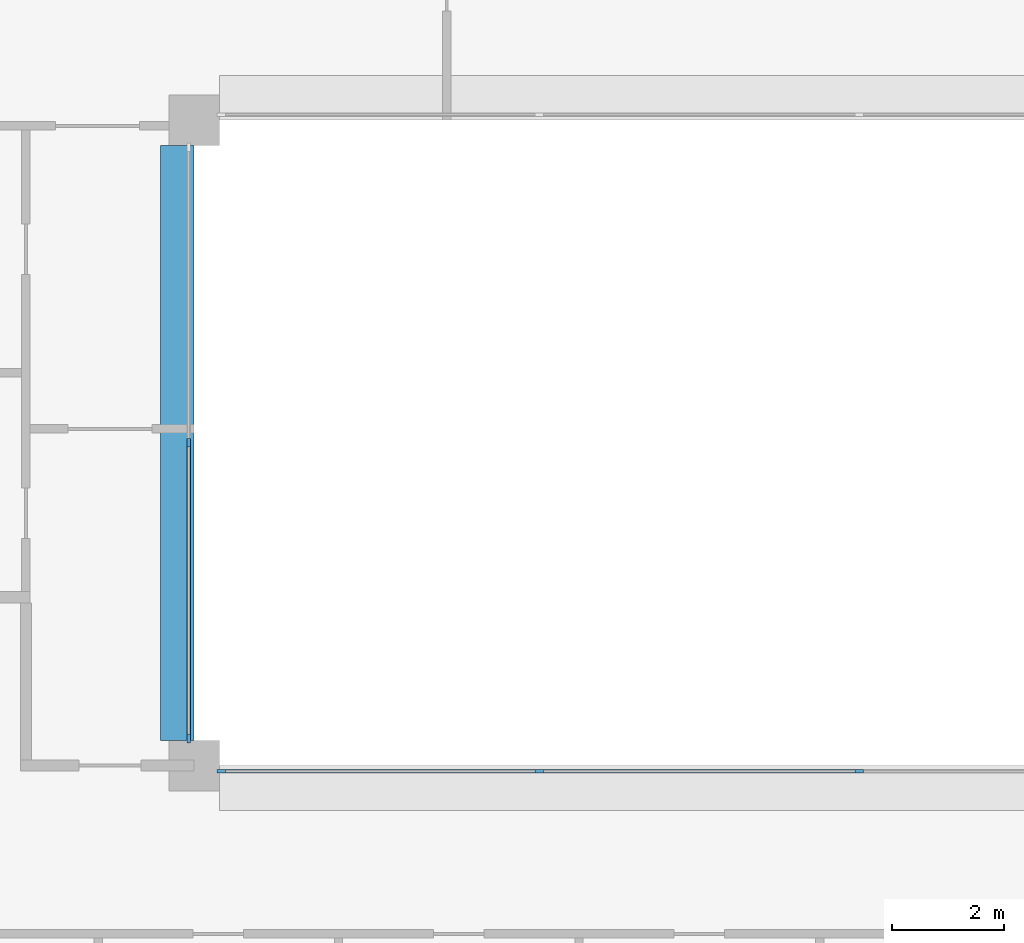
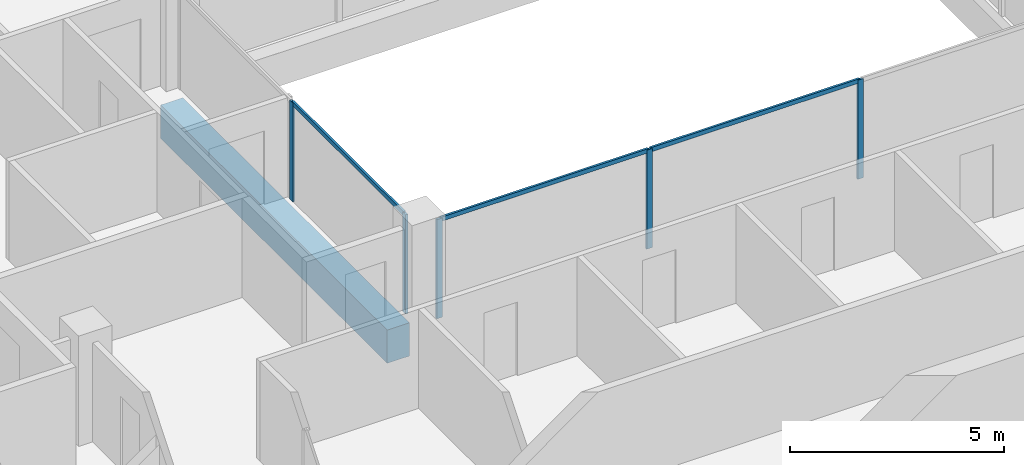
# One storey, part 2 of 15: 8 members, 1 beam, 2 elements without a shape of their own.
"""IFC4 building model written with IfcOpenShell, lengths in metres."""

import ifcopenshell
import ifcopenshell.guid

model = None  # the IFC model being written
_history = None  # IfcOwnerHistory: only IFC2X3 demands one
_inside = {}  # id of a spatial element -> (the spatial element, [elements in it])
_under = {}  # id of a project, library or spatial element -> (it, [spatial elements below it])
_declared = {}  # id of a project -> (the project, [libraries it declares])
_typed = {}  # id of a type object -> (the type object, [elements of that type])
_made_of = {}  # id of a material, layer set ... -> (it, [elements and type objects made of it])


def new_model(schema):
    """Start an empty IFC model of exactly this schema.

    Asked for "IFC4X3", IfcOpenShell would pick the latest addendum, in which some entities
    have other attributes; the version numbers below select the first issue.
    IFC2X3 requires an IfcOwnerHistory on every rooted entity: one is made here for all.
    """
    global model, _history
    if schema == "IFC4X3":
        model = ifcopenshell.file(schema_version=(4, 3, 0, 0))
    else:
        model = ifcopenshell.file(schema=schema)
    _inside.clear()
    _under.clear()
    _declared.clear()
    _typed.clear()
    _made_of.clear()
    _history = None
    if model.schema == "IFC2X3":
        org = make("IfcOrganization", Name="unknown")
        user = make(
            "IfcPersonAndOrganization",
            ThePerson=make("IfcPerson", FamilyName="unknown"),
            TheOrganization=org,
        )
        app = make(
            "IfcApplication",
            ApplicationDeveloper=org,
            Version="unknown",
            ApplicationFullName="unknown",
            ApplicationIdentifier="unknown",
        )
        _history = make(
            "IfcOwnerHistory",
            OwningUser=user,
            OwningApplication=app,
            ChangeAction="ADDED",
            CreationDate=0,
        )
    return model


def make(cls, **values):
    """One entity of the class cls with the attributes given. An attribute that is None is left unset."""
    return model.create_entity(
        cls, **{name: value for name, value in values.items() if value is not None}
    )


def rooted(cls, **values):
    """An entity with a GlobalId (a new one), such as an element, a storey or a relation."""
    return make(cls, GlobalId=ifcopenshell.guid.new(), OwnerHistory=_history, **values)


def si_unit(unit_type, name, prefix=None):
    """IfcSIUnit, for example si_unit("LENGTHUNIT", "METRE", prefix="MILLI")."""
    return make("IfcSIUnit", UnitType=unit_type, Prefix=prefix, Name=name)


def assignment(units):
    """IfcUnitAssignment: the units of a project."""
    return None if units is None else make("IfcUnitAssignment", Units=units)


def point(xyz):
    """IfcCartesianPoint."""
    return None if xyz is None else make("IfcCartesianPoint", Coordinates=xyz)


def direction(xyz):
    """IfcDirection."""
    return None if xyz is None else make("IfcDirection", DirectionRatios=xyz)


def frame(location, z_axis=None, x_axis=None):
    """IfcAxis2Placement3D, a coordinate frame: its origin and axes. An axis left out is left unset."""
    return make(
        "IfcAxis2Placement3D",
        Location=point(location),
        Axis=direction(z_axis),
        RefDirection=direction(x_axis),
    )


def frame_2d(location, x_axis=None):
    """IfcAxis2Placement2D, a coordinate frame in the plane: its origin and x axis."""
    return make(
        "IfcAxis2Placement2D", Location=point(location), RefDirection=direction(x_axis)
    )


def origin():
    """The frame at (0, 0, 0) with its axes left unset."""
    return frame((0.0, 0.0, 0.0))


def origin_2d():
    """The frame at (0, 0) in the plane with its x axis left unset."""
    return frame_2d((0.0, 0.0))


def place(relative_to, where):
    """IfcLocalPlacement: puts the frame where relative to a parent placement (None: the world)."""
    return make(
        "IfcLocalPlacement", PlacementRelTo=relative_to, RelativePlacement=where
    )


def context(
    kind, dimensions, precision=None, world=None, true_north=None, identifier=None
):
    """IfcGeometricRepresentationContext, for example the 3D "Model" context."""
    return make(
        "IfcGeometricRepresentationContext",
        ContextIdentifier=identifier,
        ContextType=kind,
        CoordinateSpaceDimension=dimensions,
        Precision=precision,
        WorldCoordinateSystem=world,
        TrueNorth=true_north,
    )


def subcontext(parent, identifier, kind, view, scale=None):
    """IfcGeometricRepresentationSubContext, for example "Body" below "Model"."""
    return make(
        "IfcGeometricRepresentationSubContext",
        ContextIdentifier=identifier,
        ContextType=kind,
        ParentContext=parent,
        TargetScale=scale,
        TargetView=view,
    )


def project(units=None, contexts=None):
    """IfcProject with its units and contexts."""
    return rooted(
        "IfcProject",
        Name="project",
        RepresentationContexts=contexts,
        UnitsInContext=assignment(units),
    )


def spatial(cls, under=None, at=None, **own):
    """A site, building, storey or space (cls), placed at a placement, below another one or the project."""
    s = rooted(cls, ObjectPlacement=at, **own)
    if under is not None:
        _under.setdefault(under.id(), (under, []))[1].append(s)
    return s


def profile(cls, at=None, kind="AREA", **sizes):
    """A parametric profile (cls). Its sizes go by their IFC names, for example OverallWidth=200.0."""
    return make(cls, ProfileType=kind, Position=at, **sizes)


def rectangle(**sizes):
    """IfcRectangleProfileDef."""
    return profile("IfcRectangleProfileDef", **sizes)


def extrude(swept, where, along, depth):
    """IfcExtrudedAreaSolid: the profile swept, set in the frame where, extruded along a direction by depth."""
    return make(
        "IfcExtrudedAreaSolid",
        SweptArea=swept,
        Position=where,
        ExtrudedDirection=direction(along),
        Depth=depth,
    )


def shape(context_of_items, identifier, shape_type, items):
    """IfcShapeRepresentation: the items that make up one representation, for example the "Body"."""
    return make(
        "IfcShapeRepresentation",
        ContextOfItems=context_of_items,
        RepresentationIdentifier=identifier,
        RepresentationType=shape_type,
        Items=items,
    )


def material(Name=None, Category=None):
    """IfcMaterial."""
    return make("IfcMaterial", Name=Name, Category=Category)


def layer(
    of_material, thickness, ventilated=None, Name=None, Category=None, Priority=None
):
    """IfcMaterialLayer: one layer of a wall or slab, of a material (None: an air gap)."""
    return make(
        "IfcMaterialLayer",
        Material=of_material,
        LayerThickness=thickness,
        IsVentilated=ventilated,
        Name=Name,
        Category=Category,
        Priority=Priority,
    )


def layer_set(layers, Name=None):
    """IfcMaterialLayerSet."""
    return make("IfcMaterialLayerSet", MaterialLayers=layers, LayerSetName=Name)


def material_profile(
    of_material, cross_section, Name=None, Category=None, Priority=None
):
    """IfcMaterialProfile: a cross section and its material."""
    return make(
        "IfcMaterialProfile",
        Name=Name,
        Material=of_material,
        Profile=cross_section,
        Priority=Priority,
        Category=Category,
    )


def profile_set(profiles, Name=None, composite=None):
    """IfcMaterialProfileSet."""
    return make(
        "IfcMaterialProfileSet",
        Name=Name,
        MaterialProfiles=profiles,
        CompositeProfile=composite,
    )


def made_of(thing, what):
    """Note that an element or type object is made of a material, layer set ...; save() writes the relation."""
    if what is not None:
        _made_of.setdefault(what.id(), (what, []))[1].append(thing)
    return thing


def type_object(cls, material=None, **own):
    """A type object (cls), such as IfcWallType, which elements share."""
    return made_of(rooted(cls, **own), material)


def element(
    cls,
    number,
    at=None,
    inside=None,
    cuts=None,
    type_object=None,
    material=None,
    context=None,
    identifier="Body",
    shape_type=None,
    held_by="IfcProductDefinitionShape",
    body=None,
    shapes=None,
    **own,
):
    """One element of the class cls, such as IfcWall. Its Tag is "e" and its number.

    at: its placement. inside: the storey or other place that contains it. cuts: it is an
    opening in that element (IfcRelVoidsElement). A single representation is given by context,
    identifier, shape_type and body (its items); several are given by shapes. held_by: the class
    of the entity that holds the representations. save() writes the other relations.
    """
    e = rooted(cls, Tag="e%d" % number, ObjectPlacement=at, **own)
    if body is not None:
        shapes = [shape(context, identifier, shape_type, body)]
    if shapes is not None:
        e.Representation = make(held_by, Representations=shapes)
    if inside is not None:
        _inside.setdefault(inside.id(), (inside, []))[1].append(e)
    if cuts is not None:
        rooted(
            "IfcRelVoidsElement", RelatingBuildingElement=cuts, RelatedOpeningElement=e
        )
    if type_object is not None:
        _typed.setdefault(type_object.id(), (type_object, []))[1].append(e)
    return made_of(e, material)


def aggregate(whole, parts):
    """IfcRelAggregates: a whole, such as a stair, and the parts it consists of."""
    return rooted("IfcRelAggregates", RelatingObject=whole, RelatedObjects=parts)


def save(model, path):
    """Write the relations noted so far, then the file.

    IfcRelAggregates (storeys below a building ...), IfcRelContainedInSpatialStructure (elements
    in a storey), IfcRelDefinesByType, IfcRelAssociatesMaterial and IfcRelDeclares: one each for
    every whole, place, type object, material and project.
    """
    for whole, parts in _under.values():
        aggregate(whole, parts)
    for where, things in _inside.values():
        rooted(
            "IfcRelContainedInSpatialStructure",
            RelatedElements=things,
            RelatingStructure=where,
        )
    for kind, things in _typed.values():
        rooted("IfcRelDefinesByType", RelatedObjects=things, RelatingType=kind)
    for what, things in _made_of.values():
        rooted("IfcRelAssociatesMaterial", RelatedObjects=things, RelatingMaterial=what)
    for by, libraries in _declared.values():
        rooted("IfcRelDeclares", RelatingContext=by, RelatedDefinitions=libraries)
    model.write(path)


model = new_model("IFC4")

# Units and contexts
model_context = context("Model", 3, precision=1e-05, world=origin(), true_north=direction((0.0, 1.0)))
body_context = subcontext(model_context, "Body", "Model", "MODEL_VIEW")
ifc_project = project(units=[si_unit("LENGTHUNIT", "METRE"), si_unit("AREAUNIT", "SQUARE_METRE"), si_unit("VOLUMEUNIT", "CUBIC_METRE"), si_unit("PLANEANGLEUNIT", "RADIAN"), si_unit("MASSUNIT", "GRAM", prefix="KILO")], contexts=[model_context])

# Site, building, storey
site_placement = place(None, origin())
site = spatial("IfcSite", under=ifc_project, at=site_placement, CompositionType="ELEMENT")
building_placement = place(site_placement, origin())
building = spatial("IfcBuilding", under=site, at=building_placement, Name="Brigalow Station Residences", CompositionType="ELEMENT")
storey_placement = place(building_placement, frame((0.0, 0.0, 220.050048828125)))
storey = spatial("IfcBuildingStorey", under=building, at=storey_placement, Name="L63", CompositionType="ELEMENT", Elevation=220.050048828125)

# Beam
ifc_material_1 = material(Name="Concrete C65", Category="concrete")
ifc_material_profile_1 = material_profile(ifc_material_1, rectangle(XDim=0.60009765625, YDim=0.949951171875, at=origin_2d()), Name="RC600x950")
ifc_profile_set_1 = profile_set([ifc_material_profile_1], Name="Concrete C65")
beam_type = type_object("IfcBeamType", Name="ATRIUM EDGE GIRDER 600x950 C65", PredefinedType="BEAM", material=ifc_profile_set_1)
beam_placement = place(storey_placement, frame((26.699951171875, 24.449951171875, -0.795166015625), z_axis=(0.0, 1.0, 0.0), x_axis=(-1.0, 0.0, 0.0)))
element("IfcBeam", 1, at=beam_placement, inside=storey, type_object=beam_type, Name="ATRIUM EDGE GIRDER 3 L63", PredefinedType="BEAM", context=body_context, shape_type="SweptSolid", body=[
    extrude(rectangle(XDim=0.60009765625, YDim=0.949951171875, at=origin_2d()), origin(), (0.0, 0.0, 1.0), 10.60009765625),
])

# Curtain wall, members
ifc_material_2 = material(Name="Aluminium", Category="aluminium")
ifc_layer = layer(ifc_material_2, 0.14990234375)
ifc_layer_set = layer_set([ifc_layer], Name="ATRIUM FIRE-RATED GLAZING CURTAIN WALL")
curtain_wall_type = type_object("IfcCurtainWallType", Name="ATRIUM FIRE-RATED GLAZING CURTAIN WALL", PredefinedType="NOTDEFINED", material=ifc_layer_set)
curtain_wall_1_placement = place(storey_placement, origin())
curtain_wall_1 = element("IfcCurtainWall", 2, at=curtain_wall_1_placement, inside=storey, type_object=curtain_wall_type, Name="L63/cw/atrium-S", PredefinedType="NOTDEFINED")
ifc_material_3 = material(Name="Aluminium", Category="aluminium")
ifc_material_profile_2 = material_profile(ifc_material_3, rectangle(XDim=0.06005859375, YDim=0.14990234375, at=origin_2d()), Name="ATRIUM FIRE-RATED GLAZING MULLION 60x150")
ifc_profile_set_2 = profile_set([ifc_material_profile_2], Name="Aluminium")
member_type_1 = type_object("IfcMemberType", Name="ATRIUM FIRE-RATED GLAZING MULLION 60x150", PredefinedType="MULLION", material=ifc_profile_set_2)
member_1_placement = place(storey_placement, frame((27.47998046875, 23.89990234375, 0.0), z_axis=(0.0, 0.0, 1.0), x_axis=(0.0, 1.0, 0.0)))
member_1 = element("IfcMember", 3, at=member_1_placement, type_object=member_type_1, Name="L63/cw/atrium-S/M00", PredefinedType="MULLION", context=body_context, shape_type="SweptSolid", body=[
    extrude(rectangle(XDim=0.06005859375, YDim=0.14990234375, at=origin_2d()), origin(), (0.0, 0.0, 1.0), 2.829833984375),
])
member_2_placement = place(storey_placement, frame((33.14990234375, 23.89990234375, 0.0), z_axis=(0.0, 0.0, 1.0), x_axis=(0.0, 1.0, 0.0)))
member_2 = element("IfcMember", 4, at=member_2_placement, type_object=member_type_1, Name="L63/cw/atrium-S/M01", PredefinedType="MULLION", context=body_context, shape_type="SweptSolid", body=[
    extrude(rectangle(XDim=0.06005859375, YDim=0.14990234375, at=origin_2d()), origin(), (0.0, 0.0, 1.0), 2.829833984375),
])
member_3_placement = place(storey_placement, frame((38.85009765625, 23.89990234375, 0.0), z_axis=(0.0, 0.0, 1.0), x_axis=(0.0, 1.0, 0.0)))
member_3 = element("IfcMember", 5, at=member_3_placement, type_object=member_type_1, Name="L63/cw/atrium-S/M02", PredefinedType="MULLION", context=body_context, shape_type="SweptSolid", body=[
    extrude(rectangle(XDim=0.06005859375, YDim=0.14990234375, at=origin_2d()), origin(), (0.0, 0.0, 1.0), 2.829833984375),
])

curtain_wall_2_placement = place(storey_placement, origin())
curtain_wall_2 = element("IfcCurtainWall", 6, at=curtain_wall_2_placement, inside=storey, type_object=curtain_wall_type, Name="L63/cw/atrium-W", PredefinedType="NOTDEFINED")
member_4_placement = place(storey_placement, frame((26.89990234375, 29.75, 0.0), z_axis=(0.0, 0.0, 1.0), x_axis=(1.0, 0.0, 0.0)))
member_4 = element("IfcMember", 7, at=member_4_placement, type_object=member_type_1, Name="L63/cw/atrium-W/M01", PredefinedType="MULLION", context=body_context, shape_type="SweptSolid", body=[
    extrude(rectangle(XDim=0.06005859375, YDim=0.14990234375, at=origin_2d()), origin(), (0.0, 0.0, 1.0), 2.829833984375),
])
member_5_placement = place(storey_placement, frame((26.89990234375, 24.47998046875, 0.0), z_axis=(0.0, 0.0, 1.0), x_axis=(1.0, 0.0, 0.0)))
member_5 = element("IfcMember", 8, at=member_5_placement, type_object=member_type_1, Name="L63/cw/atrium-W/M02", PredefinedType="MULLION", context=body_context, shape_type="SweptSolid", body=[
    extrude(rectangle(XDim=0.06005859375, YDim=0.14990234375, at=origin_2d()), origin(), (0.0, 0.0, 1.0), 2.829833984375),
])

# Member
ifc_material_4 = material(Name="Aluminium", Category="aluminium")
ifc_material_profile_3 = material_profile(ifc_material_4, rectangle(XDim=0.06005859375, YDim=0.1201171875, at=origin_2d()), Name="ATRIUM FIRE-RATED GLAZING TRANSOM 60x120")
ifc_profile_set_3 = profile_set([ifc_material_profile_3], Name="Aluminium")
member_type_2 = type_object("IfcMemberType", Name="ATRIUM FIRE-RATED GLAZING TRANSOM 60x120", PredefinedType="USERDEFINED", material=ifc_profile_set_3)
member_6_placement = place(storey_placement, frame((27.510009765625, 23.89990234375, 2.800048828125), z_axis=(1.0, 0.0, 0.0), x_axis=(0.0, 1.0, 0.0)))
member_6 = element("IfcMember", 9, at=member_6_placement, type_object=member_type_2, Name="L63/cw/atrium-S/T00-00", ObjectType="TRANSOM", PredefinedType="USERDEFINED", context=body_context, shape_type="SweptSolid", body=[
    extrude(rectangle(XDim=0.06005859375, YDim=0.1201171875, at=origin_2d()), origin(), (0.0, 0.0, 1.0), 5.610107421875),
])

member_7_placement = place(storey_placement, frame((33.179931640625, 23.89990234375, 2.800048828125), z_axis=(1.0, 0.0, 0.0), x_axis=(0.0, 1.0, 0.0)))
member_7 = element("IfcMember", 10, at=member_7_placement, type_object=member_type_2, Name="L63/cw/atrium-S/T01-00", ObjectType="TRANSOM", PredefinedType="USERDEFINED", context=body_context, shape_type="SweptSolid", body=[
    extrude(rectangle(XDim=0.06005859375, YDim=0.1201171875, at=origin_2d()), origin(), (0.0, 0.0, 1.0), 5.64013671875),
])

aggregate(curtain_wall_1, [member_1, member_2, member_3, member_6, member_7])

member_8_placement = place(storey_placement, frame((26.89990234375, 29.719970703125, 2.800048828125), z_axis=(0.0, -1.0, 0.0), x_axis=(1.0, 0.0, 0.0)))
member_8 = element("IfcMember", 11, at=member_8_placement, type_object=member_type_2, Name="L63/cw/atrium-W/T01-00", ObjectType="TRANSOM", PredefinedType="USERDEFINED", context=body_context, shape_type="SweptSolid", body=[
    extrude(rectangle(XDim=0.06005859375, YDim=0.1201171875, at=origin_2d()), origin(), (0.0, 0.0, 1.0), 5.2099609375),
])

aggregate(curtain_wall_2, [member_4, member_5, member_8])

save(model, "model.ifc")
